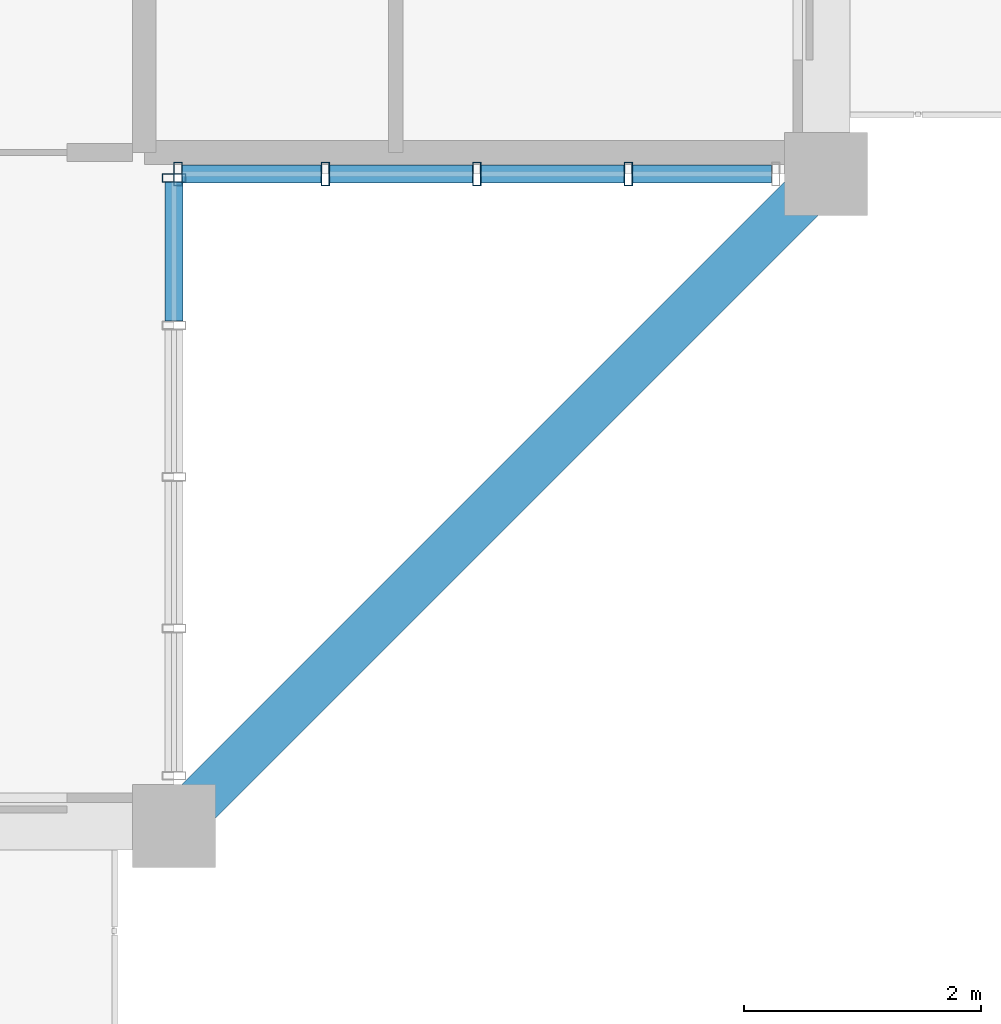
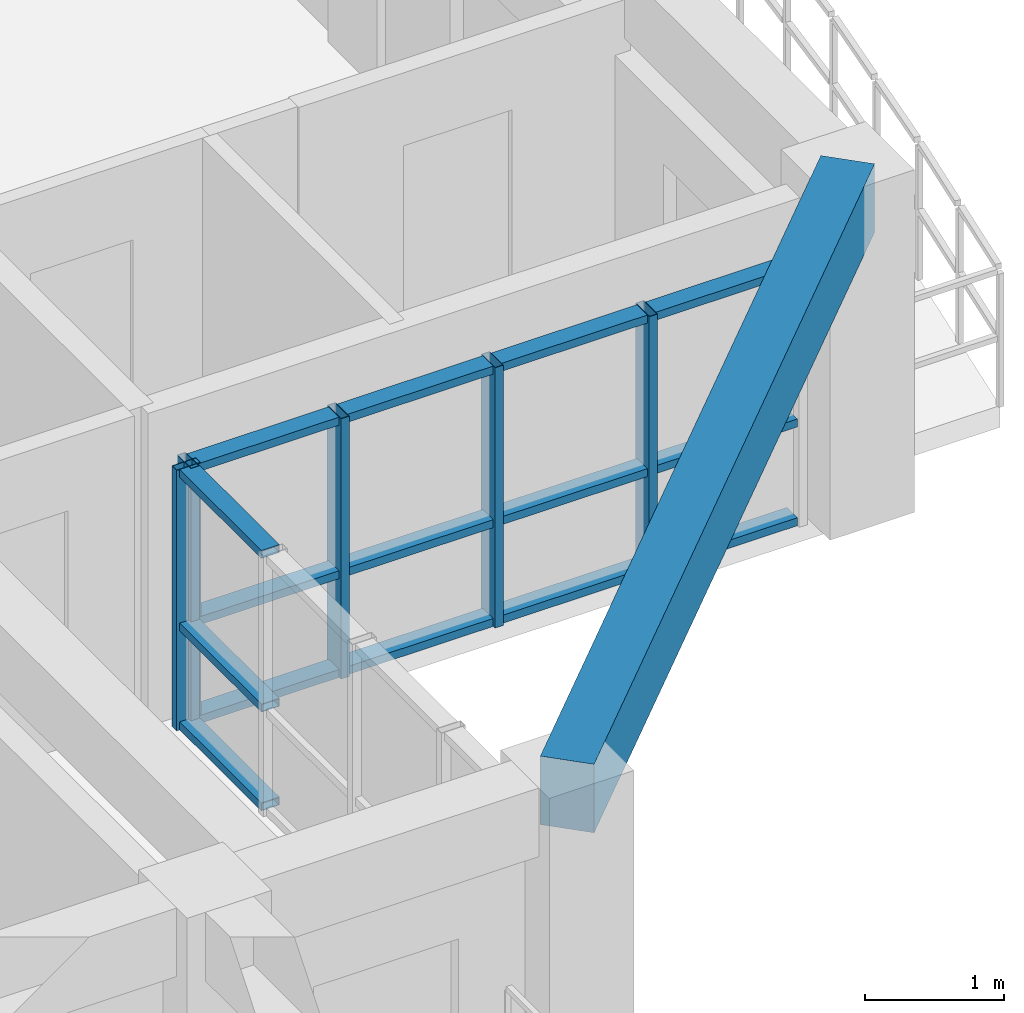
# One storey, part 4 of 24: 20 members, 1 beam, 2 elements without a shape of their own.
"""IFC4 building model written with IfcOpenShell, lengths in metres."""

from ifc_helpers import new_model, si_unit, direction, frame, origin, origin_2d, place, context, subcontext, project, spatial, rectangle, hollow_rectangle, extrude, source, transform, mapped, material, layer, layer_set, material_profile, profile_set, type_object, element, aggregate, save


model = new_model("IFC4")

# Units and contexts
model_context = context("Model", 3, precision=1e-05, world=origin(), true_north=direction((0.0, 1.0)))
body_context = subcontext(model_context, "Body", "Model", "MODEL_VIEW")
ifc_project = project(units=[si_unit("LENGTHUNIT", "METRE"), si_unit("AREAUNIT", "SQUARE_METRE"), si_unit("VOLUMEUNIT", "CUBIC_METRE"), si_unit("PLANEANGLEUNIT", "RADIAN"), si_unit("MASSUNIT", "GRAM", prefix="KILO")], contexts=[model_context])

# Site, building, storey
site_placement = place(None, origin())
site = spatial("IfcSite", under=ifc_project, at=site_placement, CompositionType="ELEMENT")
building_placement = place(site_placement, origin())
building = spatial("IfcBuilding", under=site, at=building_placement, Name="Saelheon Loggia Tower", CompositionType="ELEMENT")
storey_placement = place(building_placement, frame((0.0, 0.0, 246.0)))
storey = spatial("IfcBuildingStorey", under=building, at=storey_placement, Name="L76", CompositionType="ELEMENT", Elevation=246.0)

# Beam
ifc_material_1 = material(Name="Concrete C40/50", Category="concrete")
ifc_material_profile_1 = material_profile(ifc_material_1, rectangle(XDim=0.39990234375, YDim=0.60009765625, at=origin_2d()), Name="RC-400x600")
ifc_profile_set_1 = profile_set([ifc_material_profile_1], Name="Concrete C40/50")
beam_type = type_object("IfcBeamType", Name="Beam_PerimUpper_RC400x600", PredefinedType="BEAM", material=ifc_profile_set_1)
shared_shape_1 = source(origin(), body_context, "Body", "SweptSolid", [
    extrude(rectangle(XDim=0.39990234375, YDim=0.60009765625, at=origin_2d()), origin(), (0.0, 0.0, 1.0), 7.778076171875),
])
beam_placement = place(storey_placement, frame((47.5, 6.0, 2.699951171875), z_axis=(0.707106781187, 0.707106781187, 0.0), x_axis=(-0.707106781187, 0.707106781187, 0.0)))
element("IfcBeam", 1, at=beam_placement, inside=storey, type_object=beam_type, Name="L76 Perimeter Frame Girder 04", PredefinedType="BEAM", context=body_context, shape_type="MappedRepresentation", body=[
    mapped(shared_shape_1, transform((0.0, 0.0, 0.0), scale=1.0)),
])

# Curtain wall, member
ifc_material_2 = material(Name="High-Wind Aluminium and Triple Laminated Glass", Category="aluminium")
ifc_layer = layer(ifc_material_2, 0.179931640625)
ifc_layer_set = layer_set([ifc_layer], Name="High-Wind Aluminium and Triple Laminated Glass")
curtain_wall_type = type_object("IfcCurtainWallType", Name="CW_TowerLoggiaHigh", PredefinedType="NOTDEFINED", material=ifc_layer_set)
curtain_wall_1_placement = place(storey_placement, origin())
curtain_wall_1 = element("IfcCurtainWall", 2, at=curtain_wall_1_placement, inside=storey, type_object=curtain_wall_type, Name="L76 Corner Notch Glazing SE1", PredefinedType="NOTDEFINED")
ifc_material_3 = material(Name="Anodised Aluminium 6063-T6", Category="aluminium")
ifc_material_profile_2 = material_profile(ifc_material_3, hollow_rectangle(XDim=0.070068359375, YDim=0.199951171875, WallThickness=0.0048828125, at=origin_2d()), Name="RHS-200x70x5")
ifc_profile_set_2 = profile_set([ifc_material_profile_2], Name="Anodised Aluminium 6063-T6")
member_type_1 = type_object("IfcMemberType", Name="CW_TowerLoggiaHigh_Mullion", PredefinedType="MULLION", material=ifc_profile_set_2)
shared_shape_2 = source(origin(), body_context, "Body", "SweptSolid", [
    extrude(hollow_rectangle(XDim=0.070068359375, YDim=0.199951171875, WallThickness=0.0048828125, at=origin_2d()), origin(), (0.0, 0.0, 1.0), 2.280029296875),
])
member_1_placement = place(storey_placement, frame((47.5, 11.465087890625, 0.0), z_axis=(0.0, 0.0, 1.0), x_axis=(0.0, 1.0, 0.0)))
member_1 = element("IfcMember", 3, at=member_1_placement, type_object=member_type_1, Name="CW4 mullion 5", PredefinedType="MULLION", context=body_context, shape_type="MappedRepresentation", body=[
    mapped(shared_shape_2, transform((0.0, 0.0, 0.0), scale=1.0)),
])

# Curtain wall, members
curtain_wall_2_placement = place(storey_placement, origin())
curtain_wall_2 = element("IfcCurtainWall", 4, at=curtain_wall_2_placement, inside=storey, type_object=curtain_wall_type, Name="L76 Corner Notch Glazing SE2", PredefinedType="NOTDEFINED")
member_2_placement = place(storey_placement, frame((47.534912109375, 11.5, 0.0), z_axis=(0.0, 0.0, 1.0), x_axis=(1.0, 0.0, 0.0)))
member_2 = element("IfcMember", 5, at=member_2_placement, type_object=member_type_1, Name="CW4 mullion 1", PredefinedType="MULLION", context=body_context, shape_type="MappedRepresentation", body=[
    mapped(shared_shape_2, transform((0.0, 0.0, 0.0), scale=1.0)),
])
member_3_placement = place(storey_placement, frame((48.777587890625, 11.5, 0.0), z_axis=(0.0, 0.0, 1.0), x_axis=(1.0, 0.0, 0.0)))
member_3 = element("IfcMember", 6, at=member_3_placement, type_object=member_type_1, Name="CW4 mullion 2", PredefinedType="MULLION", context=body_context, shape_type="MappedRepresentation", body=[
    mapped(shared_shape_2, transform((0.0, 0.0, 0.0), scale=1.0)),
])
member_4_placement = place(storey_placement, frame((50.054931640625, 11.5, 0.0), z_axis=(0.0, 0.0, 1.0), x_axis=(1.0, 0.0, 0.0)))
member_4 = element("IfcMember", 7, at=member_4_placement, type_object=member_type_1, Name="CW4 mullion 3", PredefinedType="MULLION", context=body_context, shape_type="MappedRepresentation", body=[
    mapped(shared_shape_2, transform((0.0, 0.0, 0.0), scale=1.0)),
])
member_5_placement = place(storey_placement, frame((51.33251953125, 11.5, 0.0), z_axis=(0.0, 0.0, 1.0), x_axis=(1.0, 0.0, 0.0)))
member_5 = element("IfcMember", 8, at=member_5_placement, type_object=member_type_1, Name="CW4 mullion 4", PredefinedType="MULLION", context=body_context, shape_type="MappedRepresentation", body=[
    mapped(shared_shape_2, transform((0.0, 0.0, 0.0), scale=1.0)),
])
ifc_material_profile_3 = material_profile(ifc_material_3, hollow_rectangle(XDim=0.070068359375, YDim=0.14990234375, WallThickness=0.0048828125, at=origin_2d()), Name="RHS-150x70x5")
ifc_profile_set_3 = profile_set([ifc_material_profile_3], Name="Anodised Aluminium 6063-T6")
member_type_2 = type_object("IfcMemberType", Name="CW_TowerLoggiaHigh_Transom", PredefinedType="USERDEFINED", material=ifc_profile_set_3)
shared_shape_3 = source(origin(), body_context, "Body", "SweptSolid", [
    extrude(hollow_rectangle(XDim=0.070068359375, YDim=0.14990234375, WallThickness=0.0048828125, at=origin_2d()), origin(), (0.0, 0.0, 1.0), 1.172607421875),
])
member_6_placement = place(storey_placement, frame((51.367431640625, 11.5, 0.034912109375), z_axis=(1.0, 0.0, 0.0), x_axis=(0.0, 0.0, 1.0)))
member_6 = element("IfcMember", 9, at=member_6_placement, type_object=member_type_2, Name="CW4 transom 4.1", ObjectType="TRANSOM", PredefinedType="USERDEFINED", context=body_context, shape_type="MappedRepresentation", body=[
    mapped(shared_shape_3, transform((0.0, 0.0, 0.0), scale=1.0)),
])
member_7_placement = place(storey_placement, frame((51.367431640625, 11.5, 0.89990234375), z_axis=(1.0, 0.0, 0.0), x_axis=(0.0, 0.0, 1.0)))
member_7 = element("IfcMember", 10, at=member_7_placement, type_object=member_type_2, Name="CW4 transom 4.2", ObjectType="TRANSOM", PredefinedType="USERDEFINED", context=body_context, shape_type="MappedRepresentation", body=[
    mapped(shared_shape_3, transform((0.0, 0.0, 0.0), scale=1.0)),
])
member_8_placement = place(storey_placement, frame((51.367431640625, 11.5, 2.2451171875), z_axis=(1.0, 0.0, 0.0), x_axis=(0.0, 0.0, 1.0)))
member_8 = element("IfcMember", 11, at=member_8_placement, type_object=member_type_2, Name="CW4 transom 4.3", ObjectType="TRANSOM", PredefinedType="USERDEFINED", context=body_context, shape_type="MappedRepresentation", body=[
    mapped(shared_shape_3, transform((0.0, 0.0, 0.0), scale=1.0)),
])
shared_shape_4 = source(origin(), body_context, "Body", "SweptSolid", [
    extrude(hollow_rectangle(XDim=0.070068359375, YDim=0.14990234375, WallThickness=0.0048828125, at=origin_2d()), origin(), (0.0, 0.0, 1.0), 1.20751953125),
])
member_9_placement = place(storey_placement, frame((48.8125, 11.5, 0.034912109375), z_axis=(1.0, 0.0, 0.0), x_axis=(0.0, 0.0, 1.0)))
member_9 = element("IfcMember", 12, at=member_9_placement, type_object=member_type_2, Name="CW4 transom 2.1", ObjectType="TRANSOM", PredefinedType="USERDEFINED", context=body_context, shape_type="MappedRepresentation", body=[
    mapped(shared_shape_4, transform((0.0, 0.0, 0.0), scale=1.0)),
])
member_10_placement = place(storey_placement, frame((48.8125, 11.5, 0.89990234375), z_axis=(1.0, 0.0, 0.0), x_axis=(0.0, 0.0, 1.0)))
member_10 = element("IfcMember", 13, at=member_10_placement, type_object=member_type_2, Name="CW4 transom 2.2", ObjectType="TRANSOM", PredefinedType="USERDEFINED", context=body_context, shape_type="MappedRepresentation", body=[
    mapped(shared_shape_4, transform((0.0, 0.0, 0.0), scale=1.0)),
])
member_11_placement = place(storey_placement, frame((48.8125, 11.5, 2.2451171875), z_axis=(1.0, 0.0, 0.0), x_axis=(0.0, 0.0, 1.0)))
member_11 = element("IfcMember", 14, at=member_11_placement, type_object=member_type_2, Name="CW4 transom 2.3", ObjectType="TRANSOM", PredefinedType="USERDEFINED", context=body_context, shape_type="MappedRepresentation", body=[
    mapped(shared_shape_4, transform((0.0, 0.0, 0.0), scale=1.0)),
])
member_12_placement = place(storey_placement, frame((50.090087890625, 11.5, 0.034912109375), z_axis=(1.0, 0.0, 0.0), x_axis=(0.0, 0.0, 1.0)))
member_12 = element("IfcMember", 15, at=member_12_placement, type_object=member_type_2, Name="CW4 transom 3.1", ObjectType="TRANSOM", PredefinedType="USERDEFINED", context=body_context, shape_type="MappedRepresentation", body=[
    mapped(shared_shape_4, transform((0.0, 0.0, 0.0), scale=1.0)),
])
member_13_placement = place(storey_placement, frame((50.090087890625, 11.5, 0.89990234375), z_axis=(1.0, 0.0, 0.0), x_axis=(0.0, 0.0, 1.0)))
member_13 = element("IfcMember", 16, at=member_13_placement, type_object=member_type_2, Name="CW4 transom 3.2", ObjectType="TRANSOM", PredefinedType="USERDEFINED", context=body_context, shape_type="MappedRepresentation", body=[
    mapped(shared_shape_4, transform((0.0, 0.0, 0.0), scale=1.0)),
])
member_14_placement = place(storey_placement, frame((50.090087890625, 11.5, 2.2451171875), z_axis=(1.0, 0.0, 0.0), x_axis=(0.0, 0.0, 1.0)))
member_14 = element("IfcMember", 17, at=member_14_placement, type_object=member_type_2, Name="CW4 transom 3.3", ObjectType="TRANSOM", PredefinedType="USERDEFINED", context=body_context, shape_type="MappedRepresentation", body=[
    mapped(shared_shape_4, transform((0.0, 0.0, 0.0), scale=1.0)),
])

# Member
shared_shape_5 = source(origin(), body_context, "Body", "SweptSolid", [
    extrude(hollow_rectangle(XDim=0.070068359375, YDim=0.14990234375, WallThickness=0.0048828125, at=origin_2d()), origin(), (0.0, 0.0, 1.0), 1.17236328125),
])
member_15_placement = place(storey_placement, frame((47.5, 10.257568359375, 0.034912109375), z_axis=(0.0, 1.0, 0.0), x_axis=(0.0, 0.0, 1.0)))
member_15 = element("IfcMember", 18, at=member_15_placement, type_object=member_type_2, Name="CW4 transom 4.1", ObjectType="TRANSOM", PredefinedType="USERDEFINED", context=body_context, shape_type="MappedRepresentation", body=[
    mapped(shared_shape_5, transform((0.0, 0.0, 0.0), scale=1.0)),
])

member_16_placement = place(storey_placement, frame((47.5, 10.257568359375, 0.89990234375), z_axis=(0.0, 1.0, 0.0), x_axis=(0.0, 0.0, 1.0)))
member_16 = element("IfcMember", 19, at=member_16_placement, type_object=member_type_2, Name="CW4 transom 4.2", ObjectType="TRANSOM", PredefinedType="USERDEFINED", context=body_context, shape_type="MappedRepresentation", body=[
    mapped(shared_shape_5, transform((0.0, 0.0, 0.0), scale=1.0)),
])

member_17_placement = place(storey_placement, frame((47.5, 10.257568359375, 2.2451171875), z_axis=(0.0, 1.0, 0.0), x_axis=(0.0, 0.0, 1.0)))
member_17 = element("IfcMember", 20, at=member_17_placement, type_object=member_type_2, Name="CW4 transom 4.3", ObjectType="TRANSOM", PredefinedType="USERDEFINED", context=body_context, shape_type="MappedRepresentation", body=[
    mapped(shared_shape_5, transform((0.0, 0.0, 0.0), scale=1.0)),
])

aggregate(curtain_wall_1, [member_1, member_15, member_16, member_17])

member_18_placement = place(storey_placement, frame((47.570068359375, 11.5, 0.034912109375), z_axis=(1.0, 0.0, 0.0), x_axis=(0.0, 0.0, 1.0)))
member_18 = element("IfcMember", 21, at=member_18_placement, type_object=member_type_2, Name="CW4 transom 1.1", ObjectType="TRANSOM", PredefinedType="USERDEFINED", context=body_context, shape_type="MappedRepresentation", body=[
    mapped(shared_shape_5, transform((0.0, 0.0, 0.0), scale=1.0)),
])

member_19_placement = place(storey_placement, frame((47.570068359375, 11.5, 0.89990234375), z_axis=(1.0, 0.0, 0.0), x_axis=(0.0, 0.0, 1.0)))
member_19 = element("IfcMember", 22, at=member_19_placement, type_object=member_type_2, Name="CW4 transom 1.2", ObjectType="TRANSOM", PredefinedType="USERDEFINED", context=body_context, shape_type="MappedRepresentation", body=[
    mapped(shared_shape_5, transform((0.0, 0.0, 0.0), scale=1.0)),
])

member_20_placement = place(storey_placement, frame((47.570068359375, 11.5, 2.2451171875), z_axis=(1.0, 0.0, 0.0), x_axis=(0.0, 0.0, 1.0)))
member_20 = element("IfcMember", 23, at=member_20_placement, type_object=member_type_2, Name="CW4 transom 1.3", ObjectType="TRANSOM", PredefinedType="USERDEFINED", context=body_context, shape_type="MappedRepresentation", body=[
    mapped(shared_shape_5, transform((0.0, 0.0, 0.0), scale=1.0)),
])

aggregate(curtain_wall_2, [member_2, member_3, member_4, member_5, member_18, member_19, member_20, member_9, member_10, member_11, member_12, member_13, member_14, member_6, member_7, member_8])

save(model, "model.ifc")
